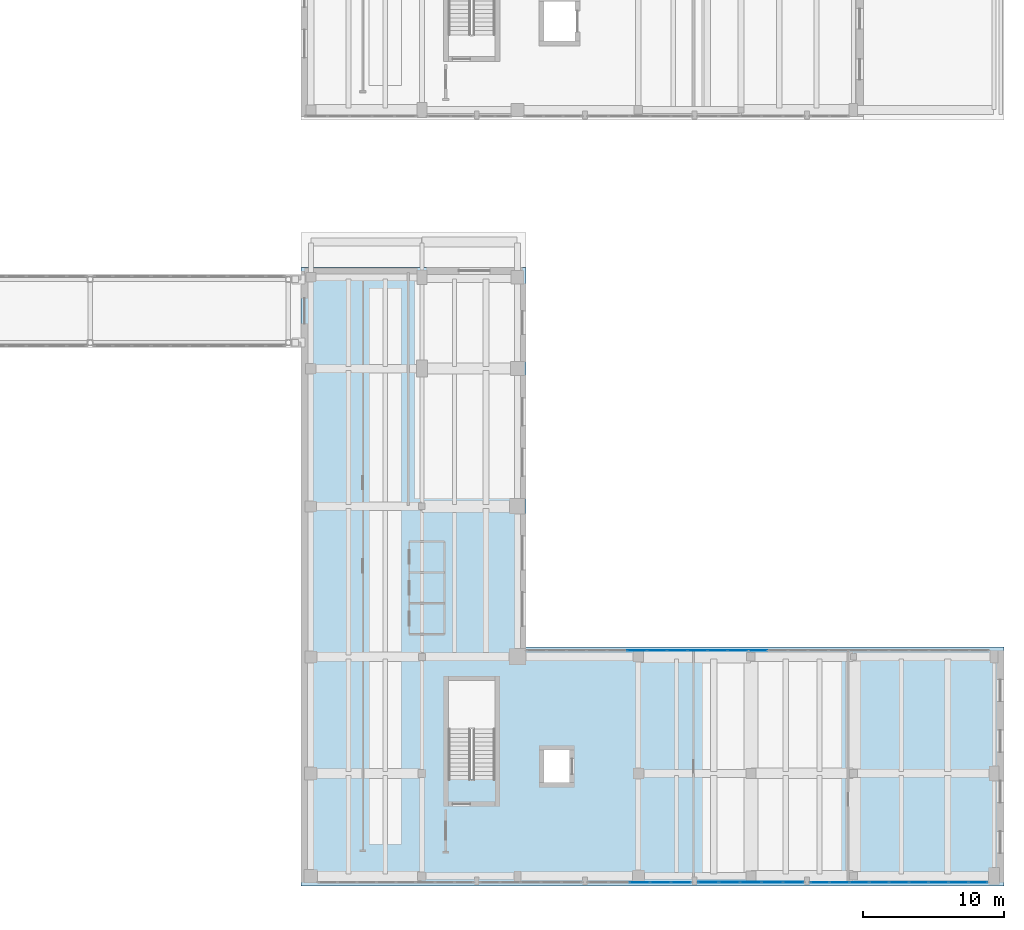
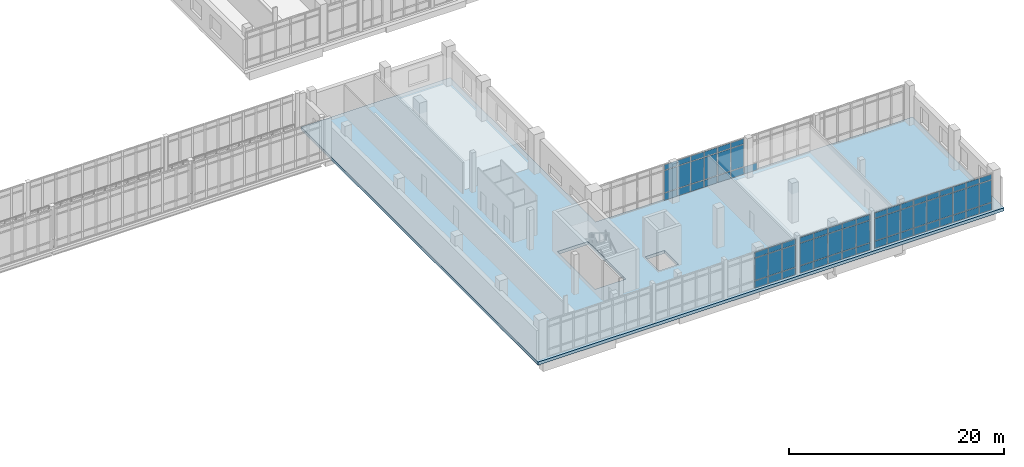
# One storey, part 57 of 89: 70 plates, 1 slab, 4 elements without a shape of their own.
"""IFC4 building model written with IfcOpenShell, lengths in metres."""

from ifc_helpers import new_model, si_unit, direction, frame, origin, origin_2d, place, context, subcontext, project, spatial, polyline, rectangle, outline, extrude, material, layer, layer_set, type_object, element, aggregate, save


model = new_model("IFC4")

# Units and contexts
model_context = context("Model", 3, precision=1e-05, world=origin(), true_north=direction((0.0, 1.0)))
body_context = subcontext(model_context, "Body", "Model", "MODEL_VIEW")
ifc_project = project(units=[si_unit("LENGTHUNIT", "METRE"), si_unit("AREAUNIT", "SQUARE_METRE"), si_unit("VOLUMEUNIT", "CUBIC_METRE"), si_unit("PLANEANGLEUNIT", "RADIAN"), si_unit("MASSUNIT", "GRAM", prefix="KILO")], contexts=[model_context])

# Site, building, storey
site_placement = place(None, origin())
site = spatial("IfcSite", under=ifc_project, at=site_placement, CompositionType="ELEMENT")
building_placement = place(site_placement, origin())
building = spatial("IfcBuilding", under=site, at=building_placement, Name="Soyqirgoq Riverine Aquarium", CompositionType="ELEMENT")
storey_placement = place(building_placement, frame((0.0, 0.0, 5.39990234375)))
storey = spatial("IfcBuildingStorey", under=building, at=storey_placement, Name="L02", CompositionType="ELEMENT", Elevation=5.39990234375)

# Curtain wall, plates
ifc_material_1 = material(Name="Anodised aluminium thermally broken gallery curtain wall", Category="aluminium")
curtain_wall_type = type_object("IfcCurtainWallType", Name="CW_Pavilion_Ribbon", PredefinedType="NOTDEFINED", material=ifc_material_1)
curtain_wall_1_placement = place(storey_placement, origin())
curtain_wall_1 = element("IfcCurtainWall", 1, at=curtain_wall_1_placement, inside=storey, type_object=curtain_wall_type, Name="V6 L02 Curtain Wall 112", PredefinedType="NOTDEFINED")
ifc_material_2 = material(Name="Triple insulated laminated low-E glass", Category="glass")
ifc_layer_1 = layer(ifc_material_2, 0.0458984375)
ifc_layer_set_1 = layer_set([ifc_layer_1], Name="Triple insulated laminated low-E glass")
plate_type_1 = type_object("IfcPlateType", Name="CWGlazedPanel_46", PredefinedType="CURTAIN_PANEL", material=ifc_layer_set_1)
plate_1_placement = place(storey_placement, frame((137.90185546875, 18.25, 0.074951171875), z_axis=(0.0, 0.0, 1.0), x_axis=(1.0, 0.0, 0.0)))
plate_1 = element("IfcPlate", 2, at=plate_1_placement, type_object=plate_type_1, Name="CW-05 panel 6.1", PredefinedType="CURTAIN_PANEL", context=body_context, shape_type="SweptSolid", body=[
    extrude(rectangle(XDim=1.3681640625, YDim=0.0458984375, at=origin_2d()), origin(), (0.0, 0.0, 1.0), 0.78759765625),
])
plate_2_placement = place(storey_placement, frame((137.90185546875, 18.25, 0.9375), z_axis=(0.0, 0.0, 1.0), x_axis=(1.0, 0.0, 0.0)))
plate_2 = element("IfcPlate", 3, at=plate_2_placement, type_object=plate_type_1, Name="CW-05 panel 6.2", PredefinedType="CURTAIN_PANEL", context=body_context, shape_type="SweptSolid", body=[
    extrude(rectangle(XDim=1.3681640625, YDim=0.0458984375, at=origin_2d()), origin(), (0.0, 0.0, 1.0), 2.4951171875),
])
plate_3_placement = place(storey_placement, frame((137.90185546875, 18.25, 3.507568359375), z_axis=(0.0, 0.0, 1.0), x_axis=(1.0, 0.0, 0.0)))
plate_3 = element("IfcPlate", 4, at=plate_3_placement, type_object=plate_type_1, Name="CW-05 panel 6.3", PredefinedType="CURTAIN_PANEL", context=body_context, shape_type="SweptSolid", body=[
    extrude(rectangle(XDim=1.3681640625, YDim=0.0458984375, at=origin_2d()), origin(), (0.0, 0.0, 1.0), 0.58740234375),
])
plate_4_placement = place(storey_placement, frame((139.334716796875, 18.25, 0.074951171875), z_axis=(0.0, 0.0, 1.0), x_axis=(1.0, 0.0, 0.0)))
plate_4 = element("IfcPlate", 5, at=plate_4_placement, type_object=plate_type_1, Name="CW-05 panel 7.1", PredefinedType="CURTAIN_PANEL", context=body_context, shape_type="SweptSolid", body=[
    extrude(rectangle(XDim=1.3681640625, YDim=0.0458984375, at=origin_2d()), origin(), (0.0, 0.0, 1.0), 0.78759765625),
])
plate_5_placement = place(storey_placement, frame((139.334716796875, 18.25, 0.9375), z_axis=(0.0, 0.0, 1.0), x_axis=(1.0, 0.0, 0.0)))
plate_5 = element("IfcPlate", 6, at=plate_5_placement, type_object=plate_type_1, Name="CW-05 panel 7.2", PredefinedType="CURTAIN_PANEL", context=body_context, shape_type="SweptSolid", body=[
    extrude(rectangle(XDim=1.3681640625, YDim=0.0458984375, at=origin_2d()), origin(), (0.0, 0.0, 1.0), 2.4951171875),
])
plate_6_placement = place(storey_placement, frame((139.334716796875, 18.25, 3.507568359375), z_axis=(0.0, 0.0, 1.0), x_axis=(1.0, 0.0, 0.0)))
plate_6 = element("IfcPlate", 7, at=plate_6_placement, type_object=plate_type_1, Name="CW-05 panel 7.3", PredefinedType="CURTAIN_PANEL", context=body_context, shape_type="SweptSolid", body=[
    extrude(rectangle(XDim=1.3681640625, YDim=0.0458984375, at=origin_2d()), origin(), (0.0, 0.0, 1.0), 0.58740234375),
])
plate_7_placement = place(storey_placement, frame((140.767822265625, 18.25, 0.074951171875), z_axis=(0.0, 0.0, 1.0), x_axis=(1.0, 0.0, 0.0)))
plate_7 = element("IfcPlate", 8, at=plate_7_placement, type_object=plate_type_1, Name="CW-05 panel 8.1", PredefinedType="CURTAIN_PANEL", context=body_context, shape_type="SweptSolid", body=[
    extrude(rectangle(XDim=1.3681640625, YDim=0.0458984375, at=origin_2d()), origin(), (0.0, 0.0, 1.0), 0.78759765625),
])
plate_8_placement = place(storey_placement, frame((140.767822265625, 18.25, 0.9375), z_axis=(0.0, 0.0, 1.0), x_axis=(1.0, 0.0, 0.0)))
plate_8 = element("IfcPlate", 9, at=plate_8_placement, type_object=plate_type_1, Name="CW-05 panel 8.2", PredefinedType="CURTAIN_PANEL", context=body_context, shape_type="SweptSolid", body=[
    extrude(rectangle(XDim=1.3681640625, YDim=0.0458984375, at=origin_2d()), origin(), (0.0, 0.0, 1.0), 2.4951171875),
])
plate_9_placement = place(storey_placement, frame((140.767822265625, 18.25, 3.507568359375), z_axis=(0.0, 0.0, 1.0), x_axis=(1.0, 0.0, 0.0)))
plate_9 = element("IfcPlate", 10, at=plate_9_placement, type_object=plate_type_1, Name="CW-05 panel 8.3", PredefinedType="CURTAIN_PANEL", context=body_context, shape_type="SweptSolid", body=[
    extrude(rectangle(XDim=1.3681640625, YDim=0.0458984375, at=origin_2d()), origin(), (0.0, 0.0, 1.0), 0.58740234375),
])
plate_10_placement = place(storey_placement, frame((142.200927734375, 18.25, 0.074951171875), z_axis=(0.0, 0.0, 1.0), x_axis=(1.0, 0.0, 0.0)))
plate_10 = element("IfcPlate", 11, at=plate_10_placement, type_object=plate_type_1, Name="CW-05 panel 9.1", PredefinedType="CURTAIN_PANEL", context=body_context, shape_type="SweptSolid", body=[
    extrude(rectangle(XDim=1.3681640625, YDim=0.0458984375, at=origin_2d()), origin(), (0.0, 0.0, 1.0), 0.78759765625),
])
plate_11_placement = place(storey_placement, frame((142.200927734375, 18.25, 0.9375), z_axis=(0.0, 0.0, 1.0), x_axis=(1.0, 0.0, 0.0)))
plate_11 = element("IfcPlate", 12, at=plate_11_placement, type_object=plate_type_1, Name="CW-05 panel 9.2", PredefinedType="CURTAIN_PANEL", context=body_context, shape_type="SweptSolid", body=[
    extrude(rectangle(XDim=1.3681640625, YDim=0.0458984375, at=origin_2d()), origin(), (0.0, 0.0, 1.0), 2.4951171875),
])
plate_12_placement = place(storey_placement, frame((142.200927734375, 18.25, 3.507568359375), z_axis=(0.0, 0.0, 1.0), x_axis=(1.0, 0.0, 0.0)))
plate_12 = element("IfcPlate", 13, at=plate_12_placement, type_object=plate_type_1, Name="CW-05 panel 9.3", PredefinedType="CURTAIN_PANEL", context=body_context, shape_type="SweptSolid", body=[
    extrude(rectangle(XDim=1.3681640625, YDim=0.0458984375, at=origin_2d()), origin(), (0.0, 0.0, 1.0), 0.58740234375),
])
plate_13_placement = place(storey_placement, frame((143.634033203125, 18.25, 0.074951171875), z_axis=(0.0, 0.0, 1.0), x_axis=(1.0, 0.0, 0.0)))
plate_13 = element("IfcPlate", 14, at=plate_13_placement, type_object=plate_type_1, Name="CW-05 panel 10.1", PredefinedType="CURTAIN_PANEL", context=body_context, shape_type="SweptSolid", body=[
    extrude(rectangle(XDim=1.3681640625, YDim=0.0458984375, at=origin_2d()), origin(), (0.0, 0.0, 1.0), 0.78759765625),
])
plate_14_placement = place(storey_placement, frame((143.634033203125, 18.25, 0.9375), z_axis=(0.0, 0.0, 1.0), x_axis=(1.0, 0.0, 0.0)))
plate_14 = element("IfcPlate", 15, at=plate_14_placement, type_object=plate_type_1, Name="CW-05 panel 10.2", PredefinedType="CURTAIN_PANEL", context=body_context, shape_type="SweptSolid", body=[
    extrude(rectangle(XDim=1.3681640625, YDim=0.0458984375, at=origin_2d()), origin(), (0.0, 0.0, 1.0), 2.4951171875),
])
plate_15_placement = place(storey_placement, frame((143.634033203125, 18.25, 3.507568359375), z_axis=(0.0, 0.0, 1.0), x_axis=(1.0, 0.0, 0.0)))
plate_15 = element("IfcPlate", 16, at=plate_15_placement, type_object=plate_type_1, Name="CW-05 panel 10.3", PredefinedType="CURTAIN_PANEL", context=body_context, shape_type="SweptSolid", body=[
    extrude(rectangle(XDim=1.3681640625, YDim=0.0458984375, at=origin_2d()), origin(), (0.0, 0.0, 1.0), 0.58740234375),
])
plate_16_placement = place(storey_placement, frame((145.06689453125, 18.25, 0.074951171875), z_axis=(0.0, 0.0, 1.0), x_axis=(1.0, 0.0, 0.0)))
plate_16 = element("IfcPlate", 17, at=plate_16_placement, type_object=plate_type_1, Name="CW-05 panel 11.1", PredefinedType="CURTAIN_PANEL", context=body_context, shape_type="SweptSolid", body=[
    extrude(rectangle(XDim=1.3681640625, YDim=0.0458984375, at=origin_2d()), origin(), (0.0, 0.0, 1.0), 0.78759765625),
])
plate_17_placement = place(storey_placement, frame((145.06689453125, 18.25, 0.9375), z_axis=(0.0, 0.0, 1.0), x_axis=(1.0, 0.0, 0.0)))
plate_17 = element("IfcPlate", 18, at=plate_17_placement, type_object=plate_type_1, Name="CW-05 panel 11.2", PredefinedType="CURTAIN_PANEL", context=body_context, shape_type="SweptSolid", body=[
    extrude(rectangle(XDim=1.3681640625, YDim=0.0458984375, at=origin_2d()), origin(), (0.0, 0.0, 1.0), 2.4951171875),
])
plate_18_placement = place(storey_placement, frame((145.06689453125, 18.25, 3.507568359375), z_axis=(0.0, 0.0, 1.0), x_axis=(1.0, 0.0, 0.0)))
plate_18 = element("IfcPlate", 19, at=plate_18_placement, type_object=plate_type_1, Name="CW-05 panel 11.3", PredefinedType="CURTAIN_PANEL", context=body_context, shape_type="SweptSolid", body=[
    extrude(rectangle(XDim=1.3681640625, YDim=0.0458984375, at=origin_2d()), origin(), (0.0, 0.0, 1.0), 0.58740234375),
])
plate_19_placement = place(storey_placement, frame((146.5, 18.25, 0.074951171875), z_axis=(0.0, 0.0, 1.0), x_axis=(1.0, 0.0, 0.0)))
plate_19 = element("IfcPlate", 20, at=plate_19_placement, type_object=plate_type_1, Name="CW-05 panel 12.1", PredefinedType="CURTAIN_PANEL", context=body_context, shape_type="SweptSolid", body=[
    extrude(rectangle(XDim=1.3681640625, YDim=0.0458984375, at=origin_2d()), origin(), (0.0, 0.0, 1.0), 0.78759765625),
])
aggregate(curtain_wall_1, [plate_1, plate_2, plate_3, plate_4, plate_5, plate_6, plate_7, plate_8, plate_9, plate_10, plate_11, plate_12, plate_13, plate_14, plate_15, plate_16, plate_17, plate_18, plate_19])

curtain_wall_2_placement = place(storey_placement, origin())
curtain_wall_2 = element("IfcCurtainWall", 21, at=curtain_wall_2_placement, inside=storey, type_object=curtain_wall_type, Name="V6 L02 Curtain Wall 113", PredefinedType="NOTDEFINED")
plate_20_placement = place(storey_placement, frame((162.158935546875, 1.75, 0.074951171875), z_axis=(0.0, 0.0, 1.0), x_axis=(-1.0, 0.0, 0.0)))
plate_20 = element("IfcPlate", 22, at=plate_20_placement, type_object=plate_type_1, Name="CW-05 panel 1.1", PredefinedType="CURTAIN_PANEL", context=body_context, shape_type="SweptSolid", body=[
    extrude(rectangle(XDim=1.31201171875, YDim=0.0458984375, at=origin_2d()), origin(), (0.0, 0.0, 1.0), 0.78759765625),
])
plate_21_placement = place(storey_placement, frame((162.158935546875, 1.75, 0.9375), z_axis=(0.0, 0.0, 1.0), x_axis=(-1.0, 0.0, 0.0)))
plate_21 = element("IfcPlate", 23, at=plate_21_placement, type_object=plate_type_1, Name="CW-05 panel 1.2", PredefinedType="CURTAIN_PANEL", context=body_context, shape_type="SweptSolid", body=[
    extrude(rectangle(XDim=1.31201171875, YDim=0.0458984375, at=origin_2d()), origin(), (0.0, 0.0, 1.0), 2.4951171875),
])
plate_22_placement = place(storey_placement, frame((162.158935546875, 1.75, 3.507568359375), z_axis=(0.0, 0.0, 1.0), x_axis=(-1.0, 0.0, 0.0)))
plate_22 = element("IfcPlate", 24, at=plate_22_placement, type_object=plate_type_1, Name="CW-05 panel 1.3", PredefinedType="CURTAIN_PANEL", context=body_context, shape_type="SweptSolid", body=[
    extrude(rectangle(XDim=1.31201171875, YDim=0.0458984375, at=origin_2d()), origin(), (0.0, 0.0, 1.0), 0.58740234375),
])
plate_23_placement = place(storey_placement, frame((160.765869140625, 1.75, 0.074951171875), z_axis=(0.0, 0.0, 1.0), x_axis=(-1.0, 0.0, 0.0)))
plate_23 = element("IfcPlate", 25, at=plate_23_placement, type_object=plate_type_1, Name="CW-05 panel 2.1", PredefinedType="CURTAIN_PANEL", context=body_context, shape_type="SweptSolid", body=[
    extrude(rectangle(XDim=1.344482421875, YDim=0.0458984375, at=origin_2d()), origin(), (0.0, 0.0, 1.0), 0.78759765625),
])
plate_24_placement = place(storey_placement, frame((160.765869140625, 1.75, 0.9375), z_axis=(0.0, 0.0, 1.0), x_axis=(-1.0, 0.0, 0.0)))
plate_24 = element("IfcPlate", 26, at=plate_24_placement, type_object=plate_type_1, Name="CW-05 panel 2.2", PredefinedType="CURTAIN_PANEL", context=body_context, shape_type="SweptSolid", body=[
    extrude(rectangle(XDim=1.344482421875, YDim=0.0458984375, at=origin_2d()), origin(), (0.0, 0.0, 1.0), 2.4951171875),
])
plate_25_placement = place(storey_placement, frame((160.765869140625, 1.75, 3.507568359375), z_axis=(0.0, 0.0, 1.0), x_axis=(-1.0, 0.0, 0.0)))
plate_25 = element("IfcPlate", 27, at=plate_25_placement, type_object=plate_type_1, Name="CW-05 panel 2.3", PredefinedType="CURTAIN_PANEL", context=body_context, shape_type="SweptSolid", body=[
    extrude(rectangle(XDim=1.344482421875, YDim=0.0458984375, at=origin_2d()), origin(), (0.0, 0.0, 1.0), 0.58740234375),
])
plate_26_placement = place(storey_placement, frame((159.3564453125, 1.75, 0.074951171875), z_axis=(0.0, 0.0, 1.0), x_axis=(-1.0, 0.0, 0.0)))
plate_26 = element("IfcPlate", 28, at=plate_26_placement, type_object=plate_type_1, Name="CW-05 panel 3.1", PredefinedType="CURTAIN_PANEL", context=body_context, shape_type="SweptSolid", body=[
    extrude(rectangle(XDim=1.344482421875, YDim=0.0458984375, at=origin_2d()), origin(), (0.0, 0.0, 1.0), 0.78759765625),
])
plate_27_placement = place(storey_placement, frame((159.3564453125, 1.75, 0.9375), z_axis=(0.0, 0.0, 1.0), x_axis=(-1.0, 0.0, 0.0)))
plate_27 = element("IfcPlate", 29, at=plate_27_placement, type_object=plate_type_1, Name="CW-05 panel 3.2", PredefinedType="CURTAIN_PANEL", context=body_context, shape_type="SweptSolid", body=[
    extrude(rectangle(XDim=1.344482421875, YDim=0.0458984375, at=origin_2d()), origin(), (0.0, 0.0, 1.0), 2.4951171875),
])
plate_28_placement = place(storey_placement, frame((159.3564453125, 1.75, 3.507568359375), z_axis=(0.0, 0.0, 1.0), x_axis=(-1.0, 0.0, 0.0)))
plate_28 = element("IfcPlate", 30, at=plate_28_placement, type_object=plate_type_1, Name="CW-05 panel 3.3", PredefinedType="CURTAIN_PANEL", context=body_context, shape_type="SweptSolid", body=[
    extrude(rectangle(XDim=1.344482421875, YDim=0.0458984375, at=origin_2d()), origin(), (0.0, 0.0, 1.0), 0.58740234375),
])
plate_29_placement = place(storey_placement, frame((157.947021484375, 1.75, 0.074951171875), z_axis=(0.0, 0.0, 1.0), x_axis=(-1.0, 0.0, 0.0)))
plate_29 = element("IfcPlate", 31, at=plate_29_placement, type_object=plate_type_1, Name="CW-05 panel 4.1", PredefinedType="CURTAIN_PANEL", context=body_context, shape_type="SweptSolid", body=[
    extrude(rectangle(XDim=1.344482421875, YDim=0.0458984375, at=origin_2d()), origin(), (0.0, 0.0, 1.0), 0.78759765625),
])
plate_30_placement = place(storey_placement, frame((157.947021484375, 1.75, 0.9375), z_axis=(0.0, 0.0, 1.0), x_axis=(-1.0, 0.0, 0.0)))
plate_30 = element("IfcPlate", 32, at=plate_30_placement, type_object=plate_type_1, Name="CW-05 panel 4.2", PredefinedType="CURTAIN_PANEL", context=body_context, shape_type="SweptSolid", body=[
    extrude(rectangle(XDim=1.344482421875, YDim=0.0458984375, at=origin_2d()), origin(), (0.0, 0.0, 1.0), 2.4951171875),
])
plate_31_placement = place(storey_placement, frame((157.947021484375, 1.75, 3.507568359375), z_axis=(0.0, 0.0, 1.0), x_axis=(-1.0, 0.0, 0.0)))
plate_31 = element("IfcPlate", 33, at=plate_31_placement, type_object=plate_type_1, Name="CW-05 panel 4.3", PredefinedType="CURTAIN_PANEL", context=body_context, shape_type="SweptSolid", body=[
    extrude(rectangle(XDim=1.344482421875, YDim=0.0458984375, at=origin_2d()), origin(), (0.0, 0.0, 1.0), 0.58740234375),
])
plate_32_placement = place(storey_placement, frame((156.53759765625, 1.75, 0.074951171875), z_axis=(0.0, 0.0, 1.0), x_axis=(-1.0, 0.0, 0.0)))
plate_32 = element("IfcPlate", 34, at=plate_32_placement, type_object=plate_type_1, Name="CW-05 panel 5.1", PredefinedType="CURTAIN_PANEL", context=body_context, shape_type="SweptSolid", body=[
    extrude(rectangle(XDim=1.344482421875, YDim=0.0458984375, at=origin_2d()), origin(), (0.0, 0.0, 1.0), 0.78759765625),
])
plate_33_placement = place(storey_placement, frame((156.53759765625, 1.75, 0.9375), z_axis=(0.0, 0.0, 1.0), x_axis=(-1.0, 0.0, 0.0)))
plate_33 = element("IfcPlate", 35, at=plate_33_placement, type_object=plate_type_1, Name="CW-05 panel 5.2", PredefinedType="CURTAIN_PANEL", context=body_context, shape_type="SweptSolid", body=[
    extrude(rectangle(XDim=1.344482421875, YDim=0.0458984375, at=origin_2d()), origin(), (0.0, 0.0, 1.0), 2.4951171875),
])
plate_34_placement = place(storey_placement, frame((156.53759765625, 1.75, 3.507568359375), z_axis=(0.0, 0.0, 1.0), x_axis=(-1.0, 0.0, 0.0)))
plate_34 = element("IfcPlate", 36, at=plate_34_placement, type_object=plate_type_1, Name="CW-05 panel 5.3", PredefinedType="CURTAIN_PANEL", context=body_context, shape_type="SweptSolid", body=[
    extrude(rectangle(XDim=1.344482421875, YDim=0.0458984375, at=origin_2d()), origin(), (0.0, 0.0, 1.0), 0.58740234375),
])
plate_35_placement = place(storey_placement, frame((155.128173828125, 1.75, 0.074951171875), z_axis=(0.0, 0.0, 1.0), x_axis=(-1.0, 0.0, 0.0)))
plate_35 = element("IfcPlate", 37, at=plate_35_placement, type_object=plate_type_1, Name="CW-05 panel 6.1", PredefinedType="CURTAIN_PANEL", context=body_context, shape_type="SweptSolid", body=[
    extrude(rectangle(XDim=1.344482421875, YDim=0.0458984375, at=origin_2d()), origin(), (0.0, 0.0, 1.0), 0.78759765625),
])
plate_36_placement = place(storey_placement, frame((155.128173828125, 1.75, 0.9375), z_axis=(0.0, 0.0, 1.0), x_axis=(-1.0, 0.0, 0.0)))
plate_36 = element("IfcPlate", 38, at=plate_36_placement, type_object=plate_type_1, Name="CW-05 panel 6.2", PredefinedType="CURTAIN_PANEL", context=body_context, shape_type="SweptSolid", body=[
    extrude(rectangle(XDim=1.344482421875, YDim=0.0458984375, at=origin_2d()), origin(), (0.0, 0.0, 1.0), 2.4951171875),
])
plate_37_placement = place(storey_placement, frame((155.128173828125, 1.75, 3.507568359375), z_axis=(0.0, 0.0, 1.0), x_axis=(-1.0, 0.0, 0.0)))
plate_37 = element("IfcPlate", 39, at=plate_37_placement, type_object=plate_type_1, Name="CW-05 panel 6.3", PredefinedType="CURTAIN_PANEL", context=body_context, shape_type="SweptSolid", body=[
    extrude(rectangle(XDim=1.344482421875, YDim=0.0458984375, at=origin_2d()), origin(), (0.0, 0.0, 1.0), 0.58740234375),
])
plate_38_placement = place(storey_placement, frame((153.718505859375, 1.75, 0.074951171875), z_axis=(0.0, 0.0, 1.0), x_axis=(-1.0, 0.0, 0.0)))
plate_38 = element("IfcPlate", 40, at=plate_38_placement, type_object=plate_type_1, Name="CW-05 panel 7.1", PredefinedType="CURTAIN_PANEL", context=body_context, shape_type="SweptSolid", body=[
    extrude(rectangle(XDim=1.344482421875, YDim=0.0458984375, at=origin_2d()), origin(), (0.0, 0.0, 1.0), 0.78759765625),
])
plate_39_placement = place(storey_placement, frame((153.718505859375, 1.75, 0.9375), z_axis=(0.0, 0.0, 1.0), x_axis=(-1.0, 0.0, 0.0)))
plate_39 = element("IfcPlate", 41, at=plate_39_placement, type_object=plate_type_1, Name="CW-05 panel 7.2", PredefinedType="CURTAIN_PANEL", context=body_context, shape_type="SweptSolid", body=[
    extrude(rectangle(XDim=1.344482421875, YDim=0.0458984375, at=origin_2d()), origin(), (0.0, 0.0, 1.0), 2.4951171875),
])
plate_40_placement = place(storey_placement, frame((153.718505859375, 1.75, 3.507568359375), z_axis=(0.0, 0.0, 1.0), x_axis=(-1.0, 0.0, 0.0)))
plate_40 = element("IfcPlate", 42, at=plate_40_placement, type_object=plate_type_1, Name="CW-05 panel 7.3", PredefinedType="CURTAIN_PANEL", context=body_context, shape_type="SweptSolid", body=[
    extrude(rectangle(XDim=1.344482421875, YDim=0.0458984375, at=origin_2d()), origin(), (0.0, 0.0, 1.0), 0.58740234375),
])
plate_41_placement = place(storey_placement, frame((152.30908203125, 1.75, 0.074951171875), z_axis=(0.0, 0.0, 1.0), x_axis=(-1.0, 0.0, 0.0)))
plate_41 = element("IfcPlate", 43, at=plate_41_placement, type_object=plate_type_1, Name="CW-05 panel 8.1", PredefinedType="CURTAIN_PANEL", context=body_context, shape_type="SweptSolid", body=[
    extrude(rectangle(XDim=1.344482421875, YDim=0.0458984375, at=origin_2d()), origin(), (0.0, 0.0, 1.0), 0.78759765625),
])
plate_42_placement = place(storey_placement, frame((152.30908203125, 1.75, 0.9375), z_axis=(0.0, 0.0, 1.0), x_axis=(-1.0, 0.0, 0.0)))
plate_42 = element("IfcPlate", 44, at=plate_42_placement, type_object=plate_type_1, Name="CW-05 panel 8.2", PredefinedType="CURTAIN_PANEL", context=body_context, shape_type="SweptSolid", body=[
    extrude(rectangle(XDim=1.344482421875, YDim=0.0458984375, at=origin_2d()), origin(), (0.0, 0.0, 1.0), 2.4951171875),
])
plate_43_placement = place(storey_placement, frame((152.30908203125, 1.75, 3.507568359375), z_axis=(0.0, 0.0, 1.0), x_axis=(-1.0, 0.0, 0.0)))
plate_43 = element("IfcPlate", 45, at=plate_43_placement, type_object=plate_type_1, Name="CW-05 panel 8.3", PredefinedType="CURTAIN_PANEL", context=body_context, shape_type="SweptSolid", body=[
    extrude(rectangle(XDim=1.344482421875, YDim=0.0458984375, at=origin_2d()), origin(), (0.0, 0.0, 1.0), 0.58740234375),
])
plate_44_placement = place(storey_placement, frame((150.916015625, 1.75, 0.074951171875), z_axis=(0.0, 0.0, 1.0), x_axis=(-1.0, 0.0, 0.0)))
plate_44 = element("IfcPlate", 46, at=plate_44_placement, type_object=plate_type_1, Name="CW-05 panel 9.1", PredefinedType="CURTAIN_PANEL", context=body_context, shape_type="SweptSolid", body=[
    extrude(rectangle(XDim=1.31201171875, YDim=0.0458984375, at=origin_2d()), origin(), (0.0, 0.0, 1.0), 0.78759765625),
])
plate_45_placement = place(storey_placement, frame((150.916015625, 1.75, 0.9375), z_axis=(0.0, 0.0, 1.0), x_axis=(-1.0, 0.0, 0.0)))
plate_45 = element("IfcPlate", 47, at=plate_45_placement, type_object=plate_type_1, Name="CW-05 panel 9.2", PredefinedType="CURTAIN_PANEL", context=body_context, shape_type="SweptSolid", body=[
    extrude(rectangle(XDim=1.31201171875, YDim=0.0458984375, at=origin_2d()), origin(), (0.0, 0.0, 1.0), 2.4951171875),
])
plate_46_placement = place(storey_placement, frame((150.916015625, 1.75, 3.507568359375), z_axis=(0.0, 0.0, 1.0), x_axis=(-1.0, 0.0, 0.0)))
plate_46 = element("IfcPlate", 48, at=plate_46_placement, type_object=plate_type_1, Name="CW-05 panel 9.3", PredefinedType="CURTAIN_PANEL", context=body_context, shape_type="SweptSolid", body=[
    extrude(rectangle(XDim=1.31201171875, YDim=0.0458984375, at=origin_2d()), origin(), (0.0, 0.0, 1.0), 0.58740234375),
])
aggregate(curtain_wall_2, [plate_20, plate_21, plate_22, plate_23, plate_24, plate_25, plate_26, plate_27, plate_28, plate_29, plate_30, plate_31, plate_32, plate_33, plate_34, plate_35, plate_36, plate_37, plate_38, plate_39, plate_40, plate_41, plate_42, plate_43, plate_44, plate_45, plate_46])

curtain_wall_3_placement = place(storey_placement, origin())
curtain_wall_3 = element("IfcCurtainWall", 49, at=curtain_wall_3_placement, inside=storey, type_object=curtain_wall_type, Name="V6 L02 Curtain Wall 115", PredefinedType="NOTDEFINED")
plate_47_placement = place(storey_placement, frame((141.0478515625, 1.75, 0.074951171875), z_axis=(0.0, 0.0, 1.0), x_axis=(-1.0, 0.0, 0.0)))
plate_47 = element("IfcPlate", 50, at=plate_47_placement, type_object=plate_type_1, Name="CW-05 panel 1.1", PredefinedType="CURTAIN_PANEL", context=body_context, shape_type="SweptSolid", body=[
    extrude(rectangle(XDim=1.384521484375, YDim=0.0458984375, at=origin_2d()), origin(), (0.0, 0.0, 1.0), 0.78759765625),
])
plate_48_placement = place(storey_placement, frame((141.0478515625, 1.75, 0.9375), z_axis=(0.0, 0.0, 1.0), x_axis=(-1.0, 0.0, 0.0)))
plate_48 = element("IfcPlate", 51, at=plate_48_placement, type_object=plate_type_1, Name="CW-05 panel 1.2", PredefinedType="CURTAIN_PANEL", context=body_context, shape_type="SweptSolid", body=[
    extrude(rectangle(XDim=1.384521484375, YDim=0.0458984375, at=origin_2d()), origin(), (0.0, 0.0, 1.0), 2.4951171875),
])
plate_49_placement = place(storey_placement, frame((141.0478515625, 1.75, 3.507568359375), z_axis=(0.0, 0.0, 1.0), x_axis=(-1.0, 0.0, 0.0)))
plate_49 = element("IfcPlate", 52, at=plate_49_placement, type_object=plate_type_1, Name="CW-05 panel 1.3", PredefinedType="CURTAIN_PANEL", context=body_context, shape_type="SweptSolid", body=[
    extrude(rectangle(XDim=1.384521484375, YDim=0.0458984375, at=origin_2d()), origin(), (0.0, 0.0, 1.0), 0.58740234375),
])
plate_50_placement = place(storey_placement, frame((139.58203125, 1.75, 0.074951171875), z_axis=(0.0, 0.0, 1.0), x_axis=(-1.0, 0.0, 0.0)))
plate_50 = element("IfcPlate", 53, at=plate_50_placement, type_object=plate_type_1, Name="CW-05 panel 2.1", PredefinedType="CURTAIN_PANEL", context=body_context, shape_type="SweptSolid", body=[
    extrude(rectangle(XDim=1.4169921875, YDim=0.0458984375, at=origin_2d()), origin(), (0.0, 0.0, 1.0), 0.78759765625),
])
plate_51_placement = place(storey_placement, frame((139.58203125, 1.75, 0.9375), z_axis=(0.0, 0.0, 1.0), x_axis=(-1.0, 0.0, 0.0)))
plate_51 = element("IfcPlate", 54, at=plate_51_placement, type_object=plate_type_1, Name="CW-05 panel 2.2", PredefinedType="CURTAIN_PANEL", context=body_context, shape_type="SweptSolid", body=[
    extrude(rectangle(XDim=1.4169921875, YDim=0.0458984375, at=origin_2d()), origin(), (0.0, 0.0, 1.0), 2.4951171875),
])
plate_52_placement = place(storey_placement, frame((139.58203125, 1.75, 3.507568359375), z_axis=(0.0, 0.0, 1.0), x_axis=(-1.0, 0.0, 0.0)))
plate_52 = element("IfcPlate", 55, at=plate_52_placement, type_object=plate_type_1, Name="CW-05 panel 2.3", PredefinedType="CURTAIN_PANEL", context=body_context, shape_type="SweptSolid", body=[
    extrude(rectangle(XDim=1.4169921875, YDim=0.0458984375, at=origin_2d()), origin(), (0.0, 0.0, 1.0), 0.58740234375),
])
plate_53_placement = place(storey_placement, frame((138.10009765625, 1.75, 0.074951171875), z_axis=(0.0, 0.0, 1.0), x_axis=(-1.0, 0.0, 0.0)))
plate_53 = element("IfcPlate", 56, at=plate_53_placement, type_object=plate_type_1, Name="CW-05 panel 3.1", PredefinedType="CURTAIN_PANEL", context=body_context, shape_type="SweptSolid", body=[
    extrude(rectangle(XDim=1.4169921875, YDim=0.0458984375, at=origin_2d()), origin(), (0.0, 0.0, 1.0), 0.78759765625),
])
plate_54_placement = place(storey_placement, frame((138.10009765625, 1.75, 0.9375), z_axis=(0.0, 0.0, 1.0), x_axis=(-1.0, 0.0, 0.0)))
plate_54 = element("IfcPlate", 57, at=plate_54_placement, type_object=plate_type_1, Name="CW-05 panel 3.2", PredefinedType="CURTAIN_PANEL", context=body_context, shape_type="SweptSolid", body=[
    extrude(rectangle(XDim=1.4169921875, YDim=0.0458984375, at=origin_2d()), origin(), (0.0, 0.0, 1.0), 2.4951171875),
])
plate_55_placement = place(storey_placement, frame((138.10009765625, 1.75, 3.507568359375), z_axis=(0.0, 0.0, 1.0), x_axis=(-1.0, 0.0, 0.0)))
plate_55 = element("IfcPlate", 58, at=plate_55_placement, type_object=plate_type_1, Name="CW-05 panel 3.3", PredefinedType="CURTAIN_PANEL", context=body_context, shape_type="SweptSolid", body=[
    extrude(rectangle(XDim=1.4169921875, YDim=0.0458984375, at=origin_2d()), origin(), (0.0, 0.0, 1.0), 0.58740234375),
])
aggregate(curtain_wall_3, [plate_47, plate_48, plate_49, plate_50, plate_51, plate_52, plate_53, plate_54, plate_55])

curtain_wall_4_placement = place(storey_placement, origin())
curtain_wall_4 = element("IfcCurtainWall", 59, at=curtain_wall_4_placement, inside=storey, type_object=curtain_wall_type, Name="V6 L02 Curtain Wall 114", PredefinedType="NOTDEFINED")
ifc_material_3 = material(Name="Insulated shadow-box aluminium spandrel panel", Category="aluminium")
ifc_layer_2 = layer(ifc_material_3, 0.06005859375)
ifc_layer_set_2 = layer_set([ifc_layer_2], Name="Insulated shadow-box aluminium spandrel panel")
plate_type_2 = type_object("IfcPlateType", Name="CWSpandrelPanel_60", PredefinedType="CURTAIN_PANEL", material=ifc_layer_set_2)
plate_56_placement = place(storey_placement, frame((149.02783203125, 1.75, 0.074951171875), z_axis=(0.0, 0.0, 1.0), x_axis=(-1.0, 0.0, 0.0)))
plate_56 = element("IfcPlate", 60, at=plate_56_placement, type_object=plate_type_2, Name="CW-05 panel 1.1", PredefinedType="CURTAIN_PANEL", context=body_context, shape_type="SweptSolid", body=[
    extrude(rectangle(XDim=1.424560546875, YDim=0.06005859375, at=origin_2d()), origin(), (0.0, 0.0, 1.0), 0.78759765625),
])
plate_57_placement = place(storey_placement, frame((149.02783203125, 1.75, 0.9375), z_axis=(0.0, 0.0, 1.0), x_axis=(-1.0, 0.0, 0.0)))
plate_57 = element("IfcPlate", 61, at=plate_57_placement, type_object=plate_type_2, Name="CW-05 panel 1.2", PredefinedType="CURTAIN_PANEL", context=body_context, shape_type="SweptSolid", body=[
    extrude(rectangle(XDim=1.424560546875, YDim=0.06005859375, at=origin_2d()), origin(), (0.0, 0.0, 1.0), 2.4951171875),
])
plate_58_placement = place(storey_placement, frame((149.02783203125, 1.75, 3.507568359375), z_axis=(0.0, 0.0, 1.0), x_axis=(-1.0, 0.0, 0.0)))
plate_58 = element("IfcPlate", 62, at=plate_58_placement, type_object=plate_type_2, Name="CW-05 panel 1.3", PredefinedType="CURTAIN_PANEL", context=body_context, shape_type="SweptSolid", body=[
    extrude(rectangle(XDim=1.424560546875, YDim=0.06005859375, at=origin_2d()), origin(), (0.0, 0.0, 1.0), 0.58740234375),
])
plate_59_placement = place(storey_placement, frame((147.52197265625, 1.75, 0.074951171875), z_axis=(0.0, 0.0, 1.0), x_axis=(-1.0, 0.0, 0.0)))
plate_59 = element("IfcPlate", 63, at=plate_59_placement, type_object=plate_type_2, Name="CW-05 panel 2.1", PredefinedType="CURTAIN_PANEL", context=body_context, shape_type="SweptSolid", body=[
    extrude(rectangle(XDim=1.45703125, YDim=0.06005859375, at=origin_2d()), origin(), (0.0, 0.0, 1.0), 0.78759765625),
])
plate_60_placement = place(storey_placement, frame((147.52197265625, 1.75, 0.9375), z_axis=(0.0, 0.0, 1.0), x_axis=(-1.0, 0.0, 0.0)))
plate_60 = element("IfcPlate", 64, at=plate_60_placement, type_object=plate_type_2, Name="CW-05 panel 2.2", PredefinedType="CURTAIN_PANEL", context=body_context, shape_type="SweptSolid", body=[
    extrude(rectangle(XDim=1.45703125, YDim=0.06005859375, at=origin_2d()), origin(), (0.0, 0.0, 1.0), 2.4951171875),
])
plate_61_placement = place(storey_placement, frame((147.52197265625, 1.75, 3.507568359375), z_axis=(0.0, 0.0, 1.0), x_axis=(-1.0, 0.0, 0.0)))
plate_61 = element("IfcPlate", 65, at=plate_61_placement, type_object=plate_type_2, Name="CW-05 panel 2.3", PredefinedType="CURTAIN_PANEL", context=body_context, shape_type="SweptSolid", body=[
    extrude(rectangle(XDim=1.45703125, YDim=0.06005859375, at=origin_2d()), origin(), (0.0, 0.0, 1.0), 0.58740234375),
])
plate_62_placement = place(storey_placement, frame((146.0, 1.75, 0.074951171875), z_axis=(0.0, 0.0, 1.0), x_axis=(-1.0, 0.0, 0.0)))
plate_62 = element("IfcPlate", 66, at=plate_62_placement, type_object=plate_type_2, Name="CW-05 panel 3.1", PredefinedType="CURTAIN_PANEL", context=body_context, shape_type="SweptSolid", body=[
    extrude(rectangle(XDim=1.45703125, YDim=0.06005859375, at=origin_2d()), origin(), (0.0, 0.0, 1.0), 0.78759765625),
])
plate_63_placement = place(storey_placement, frame((146.0, 1.75, 0.9375), z_axis=(0.0, 0.0, 1.0), x_axis=(-1.0, 0.0, 0.0)))
plate_63 = element("IfcPlate", 67, at=plate_63_placement, type_object=plate_type_2, Name="CW-05 panel 3.2", PredefinedType="CURTAIN_PANEL", context=body_context, shape_type="SweptSolid", body=[
    extrude(rectangle(XDim=1.45703125, YDim=0.06005859375, at=origin_2d()), origin(), (0.0, 0.0, 1.0), 2.4951171875),
])
plate_64_placement = place(storey_placement, frame((146.0, 1.75, 3.507568359375), z_axis=(0.0, 0.0, 1.0), x_axis=(-1.0, 0.0, 0.0)))
plate_64 = element("IfcPlate", 68, at=plate_64_placement, type_object=plate_type_2, Name="CW-05 panel 3.3", PredefinedType="CURTAIN_PANEL", context=body_context, shape_type="SweptSolid", body=[
    extrude(rectangle(XDim=1.45703125, YDim=0.06005859375, at=origin_2d()), origin(), (0.0, 0.0, 1.0), 0.58740234375),
])
plate_65_placement = place(storey_placement, frame((144.47802734375, 1.75, 0.074951171875), z_axis=(0.0, 0.0, 1.0), x_axis=(-1.0, 0.0, 0.0)))
plate_65 = element("IfcPlate", 69, at=plate_65_placement, type_object=plate_type_2, Name="CW-05 panel 4.1", PredefinedType="CURTAIN_PANEL", context=body_context, shape_type="SweptSolid", body=[
    extrude(rectangle(XDim=1.45703125, YDim=0.06005859375, at=origin_2d()), origin(), (0.0, 0.0, 1.0), 0.78759765625),
])
plate_66_placement = place(storey_placement, frame((144.47802734375, 1.75, 0.9375), z_axis=(0.0, 0.0, 1.0), x_axis=(-1.0, 0.0, 0.0)))
plate_66 = element("IfcPlate", 70, at=plate_66_placement, type_object=plate_type_2, Name="CW-05 panel 4.2", PredefinedType="CURTAIN_PANEL", context=body_context, shape_type="SweptSolid", body=[
    extrude(rectangle(XDim=1.45703125, YDim=0.06005859375, at=origin_2d()), origin(), (0.0, 0.0, 1.0), 2.4951171875),
])
plate_67_placement = place(storey_placement, frame((144.47802734375, 1.75, 3.507568359375), z_axis=(0.0, 0.0, 1.0), x_axis=(-1.0, 0.0, 0.0)))
plate_67 = element("IfcPlate", 71, at=plate_67_placement, type_object=plate_type_2, Name="CW-05 panel 4.3", PredefinedType="CURTAIN_PANEL", context=body_context, shape_type="SweptSolid", body=[
    extrude(rectangle(XDim=1.45703125, YDim=0.06005859375, at=origin_2d()), origin(), (0.0, 0.0, 1.0), 0.58740234375),
])
plate_68_placement = place(storey_placement, frame((142.97216796875, 1.75, 0.074951171875), z_axis=(0.0, 0.0, 1.0), x_axis=(-1.0, 0.0, 0.0)))
plate_68 = element("IfcPlate", 72, at=plate_68_placement, type_object=plate_type_2, Name="CW-05 panel 5.1", PredefinedType="CURTAIN_PANEL", context=body_context, shape_type="SweptSolid", body=[
    extrude(rectangle(XDim=1.424560546875, YDim=0.06005859375, at=origin_2d()), origin(), (0.0, 0.0, 1.0), 0.78759765625),
])
plate_69_placement = place(storey_placement, frame((142.97216796875, 1.75, 0.9375), z_axis=(0.0, 0.0, 1.0), x_axis=(-1.0, 0.0, 0.0)))
plate_69 = element("IfcPlate", 73, at=plate_69_placement, type_object=plate_type_2, Name="CW-05 panel 5.2", PredefinedType="CURTAIN_PANEL", context=body_context, shape_type="SweptSolid", body=[
    extrude(rectangle(XDim=1.424560546875, YDim=0.06005859375, at=origin_2d()), origin(), (0.0, 0.0, 1.0), 2.4951171875),
])
plate_70_placement = place(storey_placement, frame((142.97216796875, 1.75, 3.507568359375), z_axis=(0.0, 0.0, 1.0), x_axis=(-1.0, 0.0, 0.0)))
plate_70 = element("IfcPlate", 74, at=plate_70_placement, type_object=plate_type_2, Name="CW-05 panel 5.3", PredefinedType="CURTAIN_PANEL", context=body_context, shape_type="SweptSolid", body=[
    extrude(rectangle(XDim=1.424560546875, YDim=0.06005859375, at=origin_2d()), origin(), (0.0, 0.0, 1.0), 0.58740234375),
])
aggregate(curtain_wall_4, [plate_56, plate_57, plate_58, plate_59, plate_60, plate_61, plate_62, plate_63, plate_64, plate_65, plate_66, plate_67, plate_68, plate_69, plate_70])

# Slab
ifc_material_4 = material(Name="Concrete C40/50", Category="concrete")
ifc_layer_3 = layer(ifc_material_4, 0.35009765625)
ifc_layer_set_3 = layer_set([ifc_layer_3], Name="Concrete C40/50")
slab_type = type_object("IfcSlabType", Name="FloorSlab_350_C40", PredefinedType="FLOOR", material=ifc_layer_set_3)
slab_placement = place(storey_placement, frame((0.0, 0.0, -0.349853515625)))
element("IfcSlab", 75, at=slab_placement, inside=storey, type_object=slab_type, Name="V6 L02 Suspended Floor Slab", PredefinedType="FLOOR", context=body_context, shape_type="SweptSolid", body=[
    extrude(outline(polyline([(114.0, 1.5), (164.0, 1.5), (164.0, 18.5), (130.0, 18.5), (130.0, 45.5), (114.0, 45.5), (114.0, 1.5)]), holes=[polyline([(127.800048828125, 9.074951171875), (127.800048828125, 16.10009765625), (124.5, 16.10009765625), (124.5, 9.074951171875), (127.800048828125, 9.074951171875)]), polyline([(131.14990234375, 8.699951171875), (133.25, 8.699951171875), (133.25, 11.300048828125), (131.14990234375, 11.300048828125), (131.14990234375, 8.699951171875)])]), origin(), (0.0, 0.0, 1.0), 0.349853515625),
])

save(model, "model.ifc")
